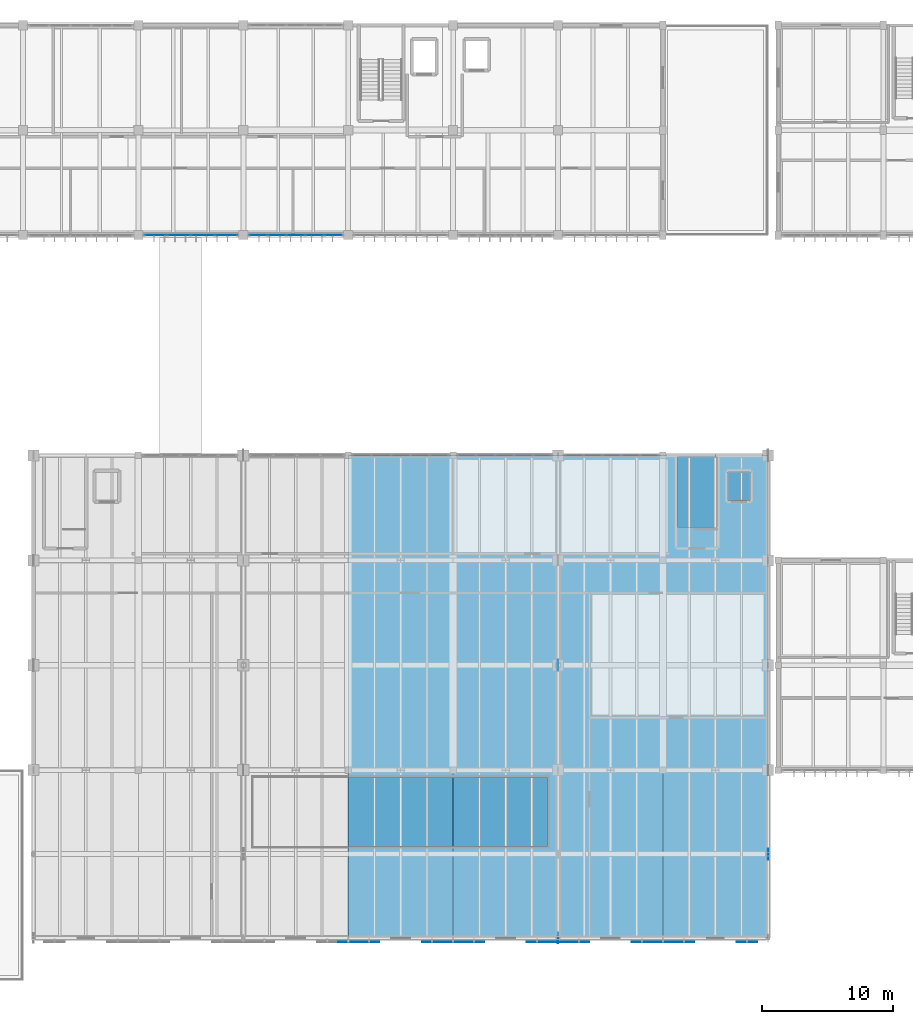
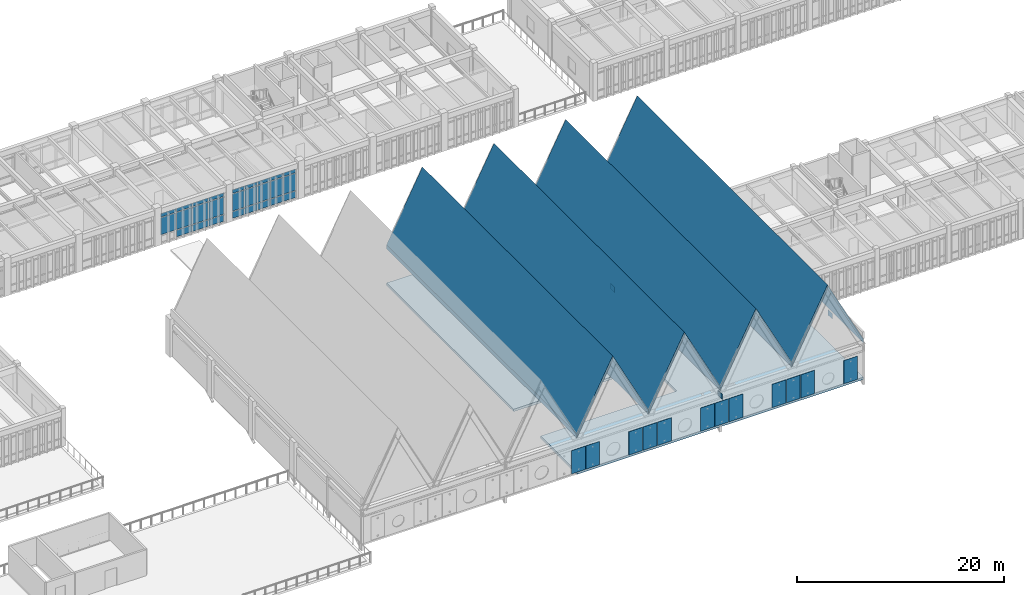
# One storey, part 35 of 72: 41 plates, 9 slabs, 2 elements without a shape of their own.
"""IFC4 building model written with IfcOpenShell, lengths in metres."""

from ifc_helpers import new_model, si_unit, direction, frame, origin, origin_2d, place, context, subcontext, project, spatial, polyline, rectangle, outline, extrude, material, layer, layer_set, type_object, element, aggregate, save


model = new_model("IFC4")

# Units and contexts
model_context = context("Model", 3, precision=1e-05, world=origin(), true_north=direction((0.0, 1.0)))
body_context = subcontext(model_context, "Body", "Model", "MODEL_VIEW")
ifc_project = project(units=[si_unit("LENGTHUNIT", "METRE"), si_unit("AREAUNIT", "SQUARE_METRE"), si_unit("VOLUMEUNIT", "CUBIC_METRE"), si_unit("PLANEANGLEUNIT", "RADIAN"), si_unit("MASSUNIT", "GRAM", prefix="KILO")], contexts=[model_context])

# Site, building, storey
site_placement = place(None, origin())
site = spatial("IfcSite", under=ifc_project, at=site_placement, CompositionType="ELEMENT")
building_placement = place(site_placement, origin())
building = spatial("IfcBuilding", under=site, at=building_placement, Name="Tlaxcora Railside Police Headquarters", CompositionType="ELEMENT")
storey_placement = place(building_placement, frame((0.0, 0.0, 13.5)))
storey = spatial("IfcBuildingStorey", under=building, at=storey_placement, Name="L03", CompositionType="ELEMENT", Elevation=13.5)

# Curtain wall, plates
ifc_material_1 = material(Name="Thermally broken low-E insulated glazing", Category="glass")
curtain_wall_type_1 = type_object("IfcCurtainWallType", Name="Unitised Curtain Wall Assembly CW-23", PredefinedType="NOTDEFINED", material=ifc_material_1)
curtain_wall_1_placement = place(storey_placement, origin())
curtain_wall_1 = element("IfcCurtainWall", 1, at=curtain_wall_1_placement, inside=storey, type_object=curtain_wall_type_1, Name="V5 L03 curtain wall 76", PredefinedType="NOTDEFINED")
ifc_layer_1 = layer(ifc_material_1, 0.0400390625, Name="Thermally broken low-E insulated glazing")
ifc_layer_set_1 = layer_set([ifc_layer_1], Name="Thermally broken low-E insulated glazing")
plate_type_1 = type_object("IfcPlateType", Name="Curtain Wall Infill Panel CW-17", PredefinedType="CURTAIN_PANEL", material=ifc_layer_set_1)
plate_1_placement = place(storey_placement, frame((63.139892578125, 76.800048828125, 0.080078125), z_axis=(0.0, 0.0, 1.0), x_axis=(1.0, 0.0, 0.0)))
plate_1 = element("IfcPlate", 2, at=plate_1_placement, type_object=plate_type_1, Name="CW panel 1.1", PredefinedType="CURTAIN_PANEL", context=body_context, shape_type="SweptSolid", body=[
    extrude(rectangle(XDim=1.320068359375, YDim=0.0400390625, at=origin_2d()), origin(), (0.0, 0.0, 1.0), 0.780029296875),
])
plate_2_placement = place(storey_placement, frame((63.139892578125, 76.800048828125, 0.93994140625), z_axis=(0.0, 0.0, 1.0), x_axis=(1.0, 0.0, 0.0)))
plate_2 = element("IfcPlate", 3, at=plate_2_placement, type_object=plate_type_1, Name="CW panel 1.2", PredefinedType="CURTAIN_PANEL", context=body_context, shape_type="SweptSolid", body=[
    extrude(rectangle(XDim=1.320068359375, YDim=0.0400390625, at=origin_2d()), origin(), (0.0, 0.0, 1.0), 2.010009765625),
])
plate_3_placement = place(storey_placement, frame((63.139892578125, 76.800048828125, 3.0302734375), z_axis=(0.0, 0.0, 1.0), x_axis=(1.0, 0.0, 0.0)))
plate_3 = element("IfcPlate", 4, at=plate_3_placement, type_object=plate_type_1, Name="CW panel 1.3", PredefinedType="CURTAIN_PANEL", context=body_context, shape_type="SweptSolid", body=[
    extrude(rectangle(XDim=1.320068359375, YDim=0.0400390625, at=origin_2d()), origin(), (0.0, 0.0, 1.0), 0.409912109375),
])
plate_4_placement = place(storey_placement, frame((64.56005859375, 76.800048828125, 0.080078125), z_axis=(0.0, 0.0, 1.0), x_axis=(1.0, 0.0, 0.0)))
plate_4 = element("IfcPlate", 5, at=plate_4_placement, type_object=plate_type_1, Name="CW panel 2.1", PredefinedType="CURTAIN_PANEL", context=body_context, shape_type="SweptSolid", body=[
    extrude(rectangle(XDim=1.360107421875, YDim=0.0400390625, at=origin_2d()), origin(), (0.0, 0.0, 1.0), 0.780029296875),
])
plate_5_placement = place(storey_placement, frame((64.56005859375, 76.800048828125, 0.93994140625), z_axis=(0.0, 0.0, 1.0), x_axis=(1.0, 0.0, 0.0)))
plate_5 = element("IfcPlate", 6, at=plate_5_placement, type_object=plate_type_1, Name="CW panel 2.2", PredefinedType="CURTAIN_PANEL", context=body_context, shape_type="SweptSolid", body=[
    extrude(rectangle(XDim=1.360107421875, YDim=0.0400390625, at=origin_2d()), origin(), (0.0, 0.0, 1.0), 2.010009765625),
])
plate_6_placement = place(storey_placement, frame((64.56005859375, 76.800048828125, 3.0302734375), z_axis=(0.0, 0.0, 1.0), x_axis=(1.0, 0.0, 0.0)))
plate_6 = element("IfcPlate", 7, at=plate_6_placement, type_object=plate_type_1, Name="CW panel 2.3", PredefinedType="CURTAIN_PANEL", context=body_context, shape_type="SweptSolid", body=[
    extrude(rectangle(XDim=1.360107421875, YDim=0.0400390625, at=origin_2d()), origin(), (0.0, 0.0, 1.0), 0.409912109375),
])
plate_7_placement = place(storey_placement, frame((66.0, 76.800048828125, 0.080078125), z_axis=(0.0, 0.0, 1.0), x_axis=(1.0, 0.0, 0.0)))
plate_7 = element("IfcPlate", 8, at=plate_7_placement, type_object=plate_type_1, Name="CW panel 3.1", PredefinedType="CURTAIN_PANEL", context=body_context, shape_type="SweptSolid", body=[
    extrude(rectangle(XDim=1.360107421875, YDim=0.0400390625, at=origin_2d()), origin(), (0.0, 0.0, 1.0), 0.780029296875),
])
plate_8_placement = place(storey_placement, frame((66.0, 76.800048828125, 0.93994140625), z_axis=(0.0, 0.0, 1.0), x_axis=(1.0, 0.0, 0.0)))
plate_8 = element("IfcPlate", 9, at=plate_8_placement, type_object=plate_type_1, Name="CW panel 3.2", PredefinedType="CURTAIN_PANEL", context=body_context, shape_type="SweptSolid", body=[
    extrude(rectangle(XDim=1.360107421875, YDim=0.0400390625, at=origin_2d()), origin(), (0.0, 0.0, 1.0), 2.010009765625),
])
plate_9_placement = place(storey_placement, frame((66.0, 76.800048828125, 3.0302734375), z_axis=(0.0, 0.0, 1.0), x_axis=(1.0, 0.0, 0.0)))
plate_9 = element("IfcPlate", 10, at=plate_9_placement, type_object=plate_type_1, Name="CW panel 3.3", PredefinedType="CURTAIN_PANEL", context=body_context, shape_type="SweptSolid", body=[
    extrude(rectangle(XDim=1.360107421875, YDim=0.0400390625, at=origin_2d()), origin(), (0.0, 0.0, 1.0), 0.409912109375),
])
plate_10_placement = place(storey_placement, frame((67.43994140625, 76.800048828125, 0.080078125), z_axis=(0.0, 0.0, 1.0), x_axis=(1.0, 0.0, 0.0)))
plate_10 = element("IfcPlate", 11, at=plate_10_placement, type_object=plate_type_1, Name="CW panel 4.1", PredefinedType="CURTAIN_PANEL", context=body_context, shape_type="SweptSolid", body=[
    extrude(rectangle(XDim=1.360107421875, YDim=0.0400390625, at=origin_2d()), origin(), (0.0, 0.0, 1.0), 0.780029296875),
])
plate_11_placement = place(storey_placement, frame((67.43994140625, 76.800048828125, 0.93994140625), z_axis=(0.0, 0.0, 1.0), x_axis=(1.0, 0.0, 0.0)))
plate_11 = element("IfcPlate", 12, at=plate_11_placement, type_object=plate_type_1, Name="CW panel 4.2", PredefinedType="CURTAIN_PANEL", context=body_context, shape_type="SweptSolid", body=[
    extrude(rectangle(XDim=1.360107421875, YDim=0.0400390625, at=origin_2d()), origin(), (0.0, 0.0, 1.0), 2.010009765625),
])
plate_12_placement = place(storey_placement, frame((67.43994140625, 76.800048828125, 3.0302734375), z_axis=(0.0, 0.0, 1.0), x_axis=(1.0, 0.0, 0.0)))
plate_12 = element("IfcPlate", 13, at=plate_12_placement, type_object=plate_type_1, Name="CW panel 4.3", PredefinedType="CURTAIN_PANEL", context=body_context, shape_type="SweptSolid", body=[
    extrude(rectangle(XDim=1.360107421875, YDim=0.0400390625, at=origin_2d()), origin(), (0.0, 0.0, 1.0), 0.409912109375),
])
plate_13_placement = place(storey_placement, frame((68.860107421875, 76.800048828125, 0.080078125), z_axis=(0.0, 0.0, 1.0), x_axis=(1.0, 0.0, 0.0)))
plate_13 = element("IfcPlate", 14, at=plate_13_placement, type_object=plate_type_1, Name="CW panel 5.1", PredefinedType="CURTAIN_PANEL", context=body_context, shape_type="SweptSolid", body=[
    extrude(rectangle(XDim=1.320068359375, YDim=0.0400390625, at=origin_2d()), origin(), (0.0, 0.0, 1.0), 0.780029296875),
])
plate_14_placement = place(storey_placement, frame((68.860107421875, 76.800048828125, 0.93994140625), z_axis=(0.0, 0.0, 1.0), x_axis=(1.0, 0.0, 0.0)))
plate_14 = element("IfcPlate", 15, at=plate_14_placement, type_object=plate_type_1, Name="CW panel 5.2", PredefinedType="CURTAIN_PANEL", context=body_context, shape_type="SweptSolid", body=[
    extrude(rectangle(XDim=1.320068359375, YDim=0.0400390625, at=origin_2d()), origin(), (0.0, 0.0, 1.0), 2.010009765625),
])
plate_15_placement = place(storey_placement, frame((68.860107421875, 76.800048828125, 3.0302734375), z_axis=(0.0, 0.0, 1.0), x_axis=(1.0, 0.0, 0.0)))
plate_15 = element("IfcPlate", 16, at=plate_15_placement, type_object=plate_type_1, Name="CW panel 5.3", PredefinedType="CURTAIN_PANEL", context=body_context, shape_type="SweptSolid", body=[
    extrude(rectangle(XDim=1.320068359375, YDim=0.0400390625, at=origin_2d()), origin(), (0.0, 0.0, 1.0), 0.409912109375),
])
aggregate(curtain_wall_1, [plate_1, plate_2, plate_3, plate_4, plate_5, plate_6, plate_7, plate_8, plate_9, plate_10, plate_11, plate_12, plate_13, plate_14, plate_15])

curtain_wall_type_2 = type_object("IfcCurtainWallType", Name="Unitised Curtain Wall Assembly CW-83", PredefinedType="NOTDEFINED", material=ifc_material_1)
curtain_wall_2_placement = place(storey_placement, origin())
curtain_wall_2 = element("IfcCurtainWall", 17, at=curtain_wall_2_placement, inside=storey, type_object=curtain_wall_type_2, Name="V5 L03 curtain wall 75", PredefinedType="NOTDEFINED")
ifc_layer_2 = layer(ifc_material_1, 0.035888671875, Name="Thermally broken low-E insulated glazing")
ifc_layer_set_2 = layer_set([ifc_layer_2], Name="Thermally broken low-E insulated glazing")
plate_type_2 = type_object("IfcPlateType", Name="Curtain Wall Infill Panel CW-72", PredefinedType="CURTAIN_PANEL", material=ifc_layer_set_2)
plate_16_placement = place(storey_placement, frame((55.320068359375, 76.800048828125, 0.93994140625), z_axis=(0.0, 0.0, 1.0), x_axis=(1.0, 0.0, 0.0)))
plate_16 = element("IfcPlate", 18, at=plate_16_placement, type_object=plate_type_2, Name="CW panel 1.2", PredefinedType="CURTAIN_PANEL", context=body_context, shape_type="SweptSolid", body=[
    extrude(rectangle(XDim=1.679931640625, YDim=0.035888671875, at=origin_2d()), origin(), (0.0, 0.0, 1.0), 2.010009765625),
])
plate_17_placement = place(storey_placement, frame((55.320068359375, 76.800048828125, 3.0302734375), z_axis=(0.0, 0.0, 1.0), x_axis=(1.0, 0.0, 0.0)))
plate_17 = element("IfcPlate", 19, at=plate_17_placement, type_object=plate_type_2, Name="CW panel 1.3", PredefinedType="CURTAIN_PANEL", context=body_context, shape_type="SweptSolid", body=[
    extrude(rectangle(XDim=1.679931640625, YDim=0.035888671875, at=origin_2d()), origin(), (0.0, 0.0, 1.0), 0.409912109375),
])
plate_18_placement = place(storey_placement, frame((57.10009765625, 76.800048828125, 0.080078125), z_axis=(0.0, 0.0, 1.0), x_axis=(1.0, 0.0, 0.0)))
plate_18 = element("IfcPlate", 20, at=plate_18_placement, type_object=plate_type_2, Name="CW panel 2.1", PredefinedType="CURTAIN_PANEL", context=body_context, shape_type="SweptSolid", body=[
    extrude(rectangle(XDim=1.719970703125, YDim=0.035888671875, at=origin_2d()), origin(), (0.0, 0.0, 1.0), 0.780029296875),
])
plate_19_placement = place(storey_placement, frame((57.10009765625, 76.800048828125, 0.93994140625), z_axis=(0.0, 0.0, 1.0), x_axis=(1.0, 0.0, 0.0)))
plate_19 = element("IfcPlate", 21, at=plate_19_placement, type_object=plate_type_2, Name="CW panel 2.2", PredefinedType="CURTAIN_PANEL", context=body_context, shape_type="SweptSolid", body=[
    extrude(rectangle(XDim=1.719970703125, YDim=0.035888671875, at=origin_2d()), origin(), (0.0, 0.0, 1.0), 2.010009765625),
])
plate_20_placement = place(storey_placement, frame((57.10009765625, 76.800048828125, 3.0302734375), z_axis=(0.0, 0.0, 1.0), x_axis=(1.0, 0.0, 0.0)))
plate_20 = element("IfcPlate", 22, at=plate_20_placement, type_object=plate_type_2, Name="CW panel 2.3", PredefinedType="CURTAIN_PANEL", context=body_context, shape_type="SweptSolid", body=[
    extrude(rectangle(XDim=1.719970703125, YDim=0.035888671875, at=origin_2d()), origin(), (0.0, 0.0, 1.0), 0.409912109375),
])
plate_21_placement = place(storey_placement, frame((58.89990234375, 76.800048828125, 0.080078125), z_axis=(0.0, 0.0, 1.0), x_axis=(1.0, 0.0, 0.0)))
plate_21 = element("IfcPlate", 23, at=plate_21_placement, type_object=plate_type_2, Name="CW panel 3.1", PredefinedType="CURTAIN_PANEL", context=body_context, shape_type="SweptSolid", body=[
    extrude(rectangle(XDim=1.719970703125, YDim=0.035888671875, at=origin_2d()), origin(), (0.0, 0.0, 1.0), 0.780029296875),
])
plate_22_placement = place(storey_placement, frame((58.89990234375, 76.800048828125, 0.93994140625), z_axis=(0.0, 0.0, 1.0), x_axis=(1.0, 0.0, 0.0)))
plate_22 = element("IfcPlate", 24, at=plate_22_placement, type_object=plate_type_2, Name="CW panel 3.2", PredefinedType="CURTAIN_PANEL", context=body_context, shape_type="SweptSolid", body=[
    extrude(rectangle(XDim=1.719970703125, YDim=0.035888671875, at=origin_2d()), origin(), (0.0, 0.0, 1.0), 2.010009765625),
])
plate_23_placement = place(storey_placement, frame((58.89990234375, 76.800048828125, 3.0302734375), z_axis=(0.0, 0.0, 1.0), x_axis=(1.0, 0.0, 0.0)))
plate_23 = element("IfcPlate", 25, at=plate_23_placement, type_object=plate_type_2, Name="CW panel 3.3", PredefinedType="CURTAIN_PANEL", context=body_context, shape_type="SweptSolid", body=[
    extrude(rectangle(XDim=1.719970703125, YDim=0.035888671875, at=origin_2d()), origin(), (0.0, 0.0, 1.0), 0.409912109375),
])
plate_24_placement = place(storey_placement, frame((60.679931640625, 76.800048828125, 0.080078125), z_axis=(0.0, 0.0, 1.0), x_axis=(1.0, 0.0, 0.0)))
plate_24 = element("IfcPlate", 26, at=plate_24_placement, type_object=plate_type_2, Name="CW panel 4.1", PredefinedType="CURTAIN_PANEL", context=body_context, shape_type="SweptSolid", body=[
    extrude(rectangle(XDim=1.679931640625, YDim=0.035888671875, at=origin_2d()), origin(), (0.0, 0.0, 1.0), 0.780029296875),
])
plate_25_placement = place(storey_placement, frame((60.679931640625, 76.800048828125, 0.93994140625), z_axis=(0.0, 0.0, 1.0), x_axis=(1.0, 0.0, 0.0)))
plate_25 = element("IfcPlate", 27, at=plate_25_placement, type_object=plate_type_2, Name="CW panel 4.2", PredefinedType="CURTAIN_PANEL", context=body_context, shape_type="SweptSolid", body=[
    extrude(rectangle(XDim=1.679931640625, YDim=0.035888671875, at=origin_2d()), origin(), (0.0, 0.0, 1.0), 2.010009765625),
])
plate_26_placement = place(storey_placement, frame((60.679931640625, 76.800048828125, 3.0302734375), z_axis=(0.0, 0.0, 1.0), x_axis=(1.0, 0.0, 0.0)))
plate_26 = element("IfcPlate", 28, at=plate_26_placement, type_object=plate_type_2, Name="CW panel 4.3", PredefinedType="CURTAIN_PANEL", context=body_context, shape_type="SweptSolid", body=[
    extrude(rectangle(XDim=1.679931640625, YDim=0.035888671875, at=origin_2d()), origin(), (0.0, 0.0, 1.0), 0.409912109375),
])
aggregate(curtain_wall_2, [plate_16, plate_17, plate_18, plate_19, plate_20, plate_21, plate_22, plate_23, plate_24, plate_25, plate_26])

# Slabs
ifc_material_2 = material(Name="Concrete C40/50", Category="concrete")
ifc_layer_3 = layer(ifc_material_2, 0.219970703125, Name="Concrete C40/50")
ifc_layer_set_3 = layer_set([ifc_layer_3], Name="Concrete C40/50")
slab_type_1 = type_object("IfcSlabType", Name="Folded or Flat Roof Slab SL-21", PredefinedType="ROOF", material=ifc_layer_set_3)
slab_1_placement = place(storey_placement, frame((70.0, 60.0, 0.0), z_axis=(0.0, -1.0, 0.0), x_axis=(1.0, 0.0, 0.0)))
element("IfcSlab", 29, at=slab_1_placement, inside=storey, type_object=slab_type_1, Name="Command Hall sawtooth gable 4 west facet", PredefinedType="ROOF", context=body_context, shape_type="SweptSolid", body=[
    extrude(outline(polyline([(0.0, 4.017822265625), (4.0, 11.81787109375), (4.0, 12.300048828125), (0.0, 4.5), (0.0, 4.017822265625)])), origin(), (0.0, 0.0, 1.0), 36.800048828125),
])
slab_2_placement = place(storey_placement, frame((74.0, 60.0, 0.0), z_axis=(0.0, -1.0, 0.0), x_axis=(1.0, 0.0, 0.0)))
element("IfcSlab", 30, at=slab_2_placement, inside=storey, type_object=slab_type_1, Name="Command Hall sawtooth gable 4 east facet", PredefinedType="ROOF", context=body_context, shape_type="SweptSolid", body=[
    extrude(outline(polyline([(0.0, 11.81787109375), (4.0, 4.017822265625), (4.0, 4.5), (0.0, 12.300048828125), (0.0, 11.81787109375)])), origin(), (0.0, 0.0, 1.0), 36.800048828125),
])
slab_3_placement = place(storey_placement, frame((78.0, 60.0, 0.0), z_axis=(0.0, -1.0, 0.0), x_axis=(1.0, 0.0, 0.0)))
element("IfcSlab", 31, at=slab_3_placement, inside=storey, type_object=slab_type_1, Name="Command Hall sawtooth gable 5 west facet", PredefinedType="ROOF", context=body_context, shape_type="SweptSolid", body=[
    extrude(outline(polyline([(0.0, 4.017822265625), (4.0, 11.81787109375), (4.0, 12.300048828125), (0.0, 4.5), (0.0, 4.017822265625)])), origin(), (0.0, 0.0, 1.0), 36.800048828125),
])
slab_4_placement = place(storey_placement, frame((82.0, 60.0, 0.0), z_axis=(0.0, -1.0, 0.0), x_axis=(1.0, 0.0, 0.0)))
element("IfcSlab", 32, at=slab_4_placement, inside=storey, type_object=slab_type_1, Name="Command Hall sawtooth gable 5 east facet", PredefinedType="ROOF", context=body_context, shape_type="SweptSolid", body=[
    extrude(outline(polyline([(0.0, 11.81787109375), (4.0, 4.017822265625), (4.0, 4.5), (0.0, 12.300048828125), (0.0, 11.81787109375)])), origin(), (0.0, 0.0, 1.0), 36.800048828125),
])
slab_5_placement = place(storey_placement, frame((86.0, 60.0, 0.0), z_axis=(0.0, -1.0, 0.0), x_axis=(1.0, 0.0, 0.0)))
element("IfcSlab", 33, at=slab_5_placement, inside=storey, type_object=slab_type_1, Name="Command Hall sawtooth gable 6 west facet", PredefinedType="ROOF", context=body_context, shape_type="SweptSolid", body=[
    extrude(outline(polyline([(0.0, 4.017822265625), (4.0, 11.81787109375), (4.0, 12.300048828125), (0.0, 4.5), (0.0, 4.017822265625)])), origin(), (0.0, 0.0, 1.0), 36.800048828125),
])
slab_6_placement = place(storey_placement, frame((90.0, 60.0, 0.0), z_axis=(0.0, -1.0, 0.0), x_axis=(1.0, 0.0, 0.0)))
element("IfcSlab", 34, at=slab_6_placement, inside=storey, type_object=slab_type_1, Name="Command Hall sawtooth gable 6 east facet", PredefinedType="ROOF", context=body_context, shape_type="SweptSolid", body=[
    extrude(outline(polyline([(0.0, 11.81787109375), (4.0, 4.017822265625), (4.0, 4.5), (0.0, 12.300048828125), (0.0, 11.81787109375)])), origin(), (0.0, 0.0, 1.0), 36.800048828125),
])
slab_7_placement = place(storey_placement, frame((94.0, 60.0, 0.0), z_axis=(0.0, -1.0, 0.0), x_axis=(1.0, 0.0, 0.0)))
element("IfcSlab", 35, at=slab_7_placement, inside=storey, type_object=slab_type_1, Name="Command Hall sawtooth gable 7 west facet", PredefinedType="ROOF", context=body_context, shape_type="SweptSolid", body=[
    extrude(outline(polyline([(0.0, 4.017822265625), (4.0, 11.81787109375), (4.0, 12.300048828125), (0.0, 4.5), (0.0, 4.017822265625)])), origin(), (0.0, 0.0, 1.0), 36.800048828125),
])
slab_8_placement = place(storey_placement, frame((98.0, 60.0, 0.0), z_axis=(0.0, -1.0, 0.0), x_axis=(1.0, 0.0, 0.0)))
element("IfcSlab", 36, at=slab_8_placement, inside=storey, type_object=slab_type_1, Name="Command Hall sawtooth gable 7 east facet", PredefinedType="ROOF", context=body_context, shape_type="SweptSolid", body=[
    extrude(outline(polyline([(0.0, 11.81787109375), (4.0, 4.017822265625), (4.0, 4.5), (0.0, 12.300048828125), (0.0, 11.81787109375)])), origin(), (0.0, 0.0, 1.0), 36.800048828125),
])

# Plates
ifc_material_3 = material(Name="Bronze-anodised perforated aluminium sheet", Category="aluminium")
ifc_layer_4 = layer(ifc_material_3, 0.02197265625, Name="Bronze-anodised perforated aluminium sheet")
ifc_layer_set_4 = layer_set([ifc_layer_4], Name="Bronze-anodised perforated aluminium sheet")
plate_type_3 = type_object("IfcPlateType", Name="Perforated Metal Screen Panel SC-25", PredefinedType="SHEET", material=ifc_layer_set_4)
for number, where, z_axis, x_axis, name in (
    (37, (70.0, 22.907470703125, 0.21240234375), (0.0, 0.0, 1.0), (1.0, 0.0, 0.0), "Cosmic perforated bronze screen SCR-V2-L03-0-14"),
    (38, (71.60009765625, 22.907470703125, 0.21240234375), (0.0, 0.0, 1.0), (1.0, 0.0, 0.0), "Cosmic perforated bronze screen SCR-V2-L03-0-15"),
    (39, (76.39990234375, 22.907470703125, 0.21240234375), (0.0, 0.0, 1.0), (1.0, 0.0, 0.0), "Cosmic perforated bronze screen SCR-V2-L03-0-18"),
    (40, (78.0, 22.907470703125, 0.21240234375), (0.0, 0.0, 1.0), (1.0, 0.0, 0.0), "Cosmic perforated bronze screen SCR-V2-L03-0-19"),
    (41, (79.60009765625, 22.907470703125, 0.21240234375), (0.0, 0.0, 1.0), (1.0, 0.0, 0.0), "Cosmic perforated bronze screen SCR-V2-L03-0-20"),
    (42, (84.39990234375, 22.907470703125, 0.21240234375), (0.0, 0.0, 1.0), (1.0, 0.0, 0.0), "Cosmic perforated bronze screen SCR-V2-L03-0-23"),
    (43, (86.0, 22.907470703125, 0.21240234375), (0.0, 0.0, 1.0), (1.0, 0.0, 0.0), "Cosmic perforated bronze screen SCR-V2-L03-0-24"),
    (44, (87.60009765625, 22.907470703125, 0.21240234375), (0.0, 0.0, 1.0), (1.0, 0.0, 0.0), "Cosmic perforated bronze screen SCR-V2-L03-0-25"),
    (45, (92.39990234375, 22.907470703125, 0.21240234375), (0.0, 0.0, 1.0), (1.0, 0.0, 0.0), "Cosmic perforated bronze screen SCR-V2-L03-0-28"),
    (46, (94.0, 22.907470703125, 0.21240234375), (0.0, 0.0, 1.0), (1.0, 0.0, 0.0), "Cosmic perforated bronze screen SCR-V2-L03-0-29"),
    (47, (95.60009765625, 22.907470703125, 0.21240234375), (0.0, 0.0, 1.0), (1.0, 0.0, 0.0), "Cosmic perforated bronze screen SCR-V2-L03-0-30"),
    (48, (100.39990234375, 22.907470703125, 0.21240234375), (0.0, 0.0, 1.0), (1.0, 0.0, 0.0), "Cosmic perforated bronze screen SCR-V2-L03-0-33"),
):
    element("IfcPlate", number, at=place(storey_placement, frame(where, z_axis=z_axis, x_axis=x_axis)), inside=storey, type_object=plate_type_3, Name=name, PredefinedType="SHEET", context=body_context, shape_type="SweptSolid", body=[
        extrude(rectangle(XDim=1.5400390625, YDim=0.02197265625, at=origin_2d()), origin(), (0.0, 0.0, 1.0), 2.75),
    ])
ifc_material_4 = material(Name="Steel ASTM A992 Grade 50", Category="steel")
ifc_layer_5 = layer(ifc_material_4, 0.030029296875, Name="Steel ASTM A992 Grade 50")
ifc_layer_set_5 = layer_set([ifc_layer_5], Name="Steel ASTM A992 Grade 50")
plate_type_4 = type_object("IfcPlateType", Name="Structural Gusset or Cap Plate GP-78", PredefinedType="USERDEFINED", material=ifc_layer_set_5)
plate_27_placement = place(storey_placement, frame((86.0, 23.199951171875, 3.219970703125), z_axis=(0.0, 0.0, 1.0), x_axis=(0.0, 1.0, 0.0)))
element("IfcPlate", 49, at=plate_27_placement, inside=storey, type_object=plate_type_4, Name="Truss top-chord gusset plate KNT-3-5", ObjectType="GUSSET PLATE", PredefinedType="USERDEFINED", context=body_context, shape_type="SweptSolid", body=[
    extrude(rectangle(XDim=0.800048828125, YDim=0.030029296875, at=origin_2d()), origin(), (0.0, 0.0, 1.0), 0.60009765625),
])
ifc_layer_6 = layer(ifc_material_4, 0.02587890625, Name="Steel ASTM A992 Grade 50")
ifc_layer_set_6 = layer_set([ifc_layer_6], Name="Steel ASTM A992 Grade 50")
plate_type_5 = type_object("IfcPlateType", Name="Structural Gusset or Cap Plate GP-83", PredefinedType="USERDEFINED", material=ifc_layer_set_6)
for number, where, z_axis, x_axis, name in (
    (50, (86.0, 44.0, 3.195068359375), (0.0, 0.0, 1.0), (0.0, 1.0, 0.0), "Truss top-chord gusset plate KNT-3-2"),
    (51, (102.0, 29.60009765625, 3.195068359375), (0.0, 0.0, 1.0), (0.0, 1.0, 0.0), "Truss top-chord gusset plate KNT-4-4"),
):
    element("IfcPlate", number, at=place(storey_placement, frame(where, z_axis=z_axis, x_axis=x_axis)), inside=storey, type_object=plate_type_5, Name=name, ObjectType="GUSSET PLATE", PredefinedType="USERDEFINED", context=body_context, shape_type="SweptSolid", body=[
        extrude(rectangle(XDim=0.85009765625, YDim=0.02587890625, at=origin_2d()), origin(), (0.0, 0.0, 1.0), 0.64990234375),
    ])

# Slab
ifc_material_5 = material(Name="Concrete C35/45", Category="concrete")
ifc_layer_7 = layer(ifc_material_5, 0.280029296875, Name="Concrete C35/45")
ifc_layer_set_7 = layer_set([ifc_layer_7], Name="Concrete C35/45")
slab_type_2 = type_object("IfcSlabType", Name="Suspended Floor Slab SL-16", PredefinedType="FLOOR", material=ifc_layer_set_7)
slab_9_placement = place(storey_placement, frame((0.0, 0.0, -0.280029296875)))
element("IfcSlab", 52, at=slab_9_placement, inside=storey, type_object=slab_type_2, Name="V2 L03 floor slab zone 2", PredefinedType="FLOOR", context=body_context, shape_type="SweptSolid", body=[
    extrude(outline(polyline([(70.0, 30.199951171875), (70.0, 23.199951171875), (102.0, 23.199951171875), (102.0, 60.0), (70.0, 60.0), (70.0, 35.39990234375), (85.199951171875, 35.39990234375), (85.199951171875, 30.199951171875), (70.0, 30.199951171875)]), holes=[polyline([(98.110107421875, 59.889892578125), (98.110107421875, 54.550048828125), (95.110107421875, 54.550048828125), (95.110107421875, 59.889892578125), (98.110107421875, 59.889892578125)]), polyline([(100.64990234375, 56.550048828125), (98.949951171875, 56.550048828125), (98.949951171875, 58.75), (100.64990234375, 58.75), (100.64990234375, 56.550048828125)])]), origin(), (0.0, 0.0, 1.0), 0.280029296875),
])

save(model, "model.ifc")
